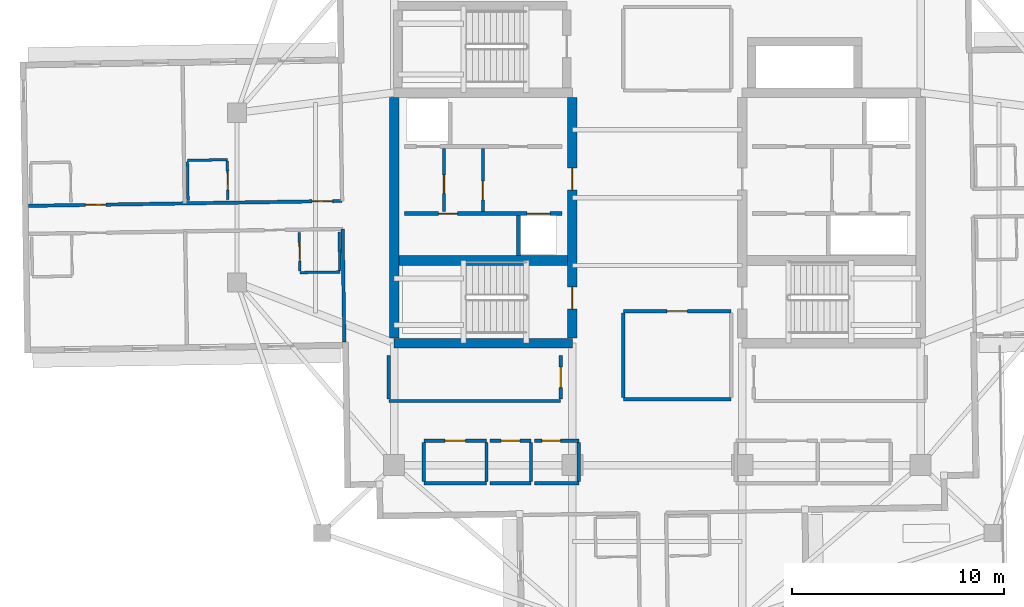
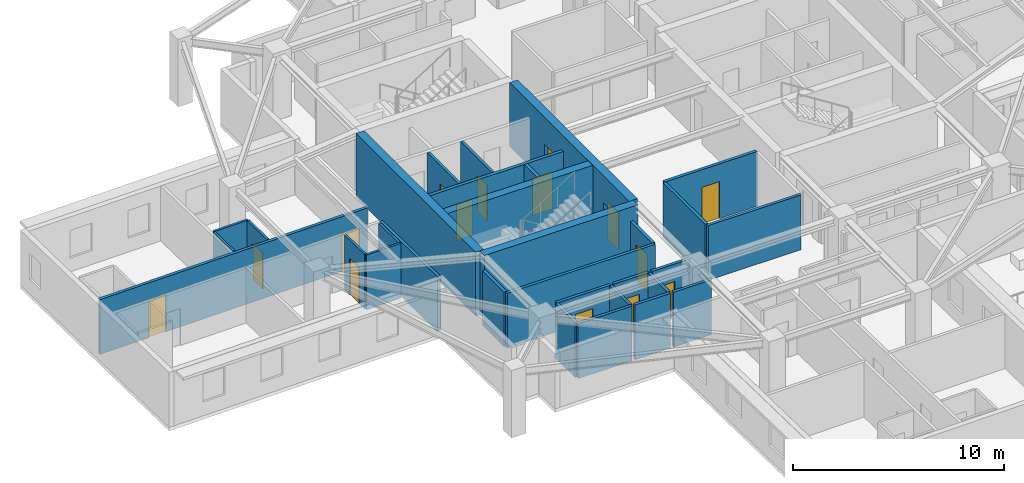
# One storey, part 4 of 13: 32 walls, 15 doors, 15 openings.
"""IFC4 building model written with IfcOpenShell, lengths in metres."""

from ifc_helpers import new_model, si_unit, direction, frame, frame_2d, origin, place, context, subcontext, project, spatial, rectangle, extrude, material, layer, layer_set, type_object, element, fill, save


model = new_model("IFC4")

# Units and contexts
model_context = context("Model", 3, precision=1e-05, world=origin(), true_north=direction((0.0, 1.0)))
body_context = subcontext(model_context, "Body", "Model", "MODEL_VIEW")
ifc_project = project(units=[si_unit("LENGTHUNIT", "METRE"), si_unit("AREAUNIT", "SQUARE_METRE"), si_unit("VOLUMEUNIT", "CUBIC_METRE"), si_unit("PLANEANGLEUNIT", "RADIAN"), si_unit("MASSUNIT", "GRAM", prefix="KILO")], contexts=[model_context])

# Site, building, storey
site_placement = place(None, origin())
site = spatial("IfcSite", under=ifc_project, at=site_placement, CompositionType="ELEMENT")
building_placement = place(site_placement, origin())
building = spatial("IfcBuilding", under=site, at=building_placement, Name="Qingluan Cross Belvedere", CompositionType="ELEMENT")
storey_placement = place(building_placement, frame((0.0, 0.0, 220.800048828125)))
storey = spatial("IfcBuildingStorey", under=building, at=storey_placement, Name="L55", CompositionType="ELEMENT", Elevation=220.800048828125)

# Walls
ifc_material_1 = material(Name="Concrete C50", Category="concrete")
ifc_layer_1 = layer(ifc_material_1, 0.449951171875, Name="CoreShearWall_450")
ifc_layer_set_1 = layer_set([ifc_layer_1], Name="Concrete C50")
wall_type_1 = type_object("IfcWallType", Name="CoreShearWall_450", PredefinedType="SHEAR", material=ifc_layer_set_1)
wall_1_placement = place(storey_placement, frame((-12.39990234375, -6.85009765625, 0.0), z_axis=(0.0, 0.0, 1.0), x_axis=(1.0, 0.0, 0.0)))
element("IfcWall", 1, at=wall_1_placement, inside=storey, type_object=wall_type_1, Name="Split core W shear wall L55-S", PredefinedType="SHEAR", context=body_context, shape_type="SweptSolid", body=[
    extrude(rectangle(XDim=8.39990234375, YDim=0.449951171875, at=frame_2d((4.199951171875, 0.0))), origin(), (0.0, 0.0, 1.0), 3.699951171875),
])
wall_2_placement = place(storey_placement, frame((-12.39990234375, -6.6201171875, 0.0), z_axis=(0.0, 0.0, 1.0), x_axis=(0.0, 1.0, 0.0)))
element("IfcWall", 2, at=wall_2_placement, inside=storey, type_object=wall_type_1, Name="Split core W shear wall L55-W", PredefinedType="SHEAR", context=body_context, shape_type="SweptSolid", body=[
    extrude(rectangle(XDim=11.340087890625, YDim=0.449951171875, at=frame_2d((5.669921875, 0.0))), origin(), (0.0, 0.0, 1.0), 3.699951171875),
])

# Wall, openings, doors
wall_3_placement = place(storey_placement, frame((-4.0, -6.6201171875, 0.0), z_axis=(0.0, 0.0, 1.0), x_axis=(0.0, 1.0, 0.0)))
wall_3 = element("IfcWall", 3, at=wall_3_placement, inside=storey, type_object=wall_type_1, Name="Split core W shear wall L55-E", PredefinedType="SHEAR", context=body_context, shape_type="SweptSolid", body=[
    extrude(rectangle(XDim=11.340087890625, YDim=0.449951171875, at=frame_2d((5.669921875, 0.0))), origin(), (0.0, 0.0, 1.0), 3.699951171875),
])
opening_1_placement = place(wall_3_placement, frame((1.3701171875, 0.0, 0.0)))
opening_1 = element("IfcOpeningElement", 4, at=opening_1_placement, cuts=wall_3, Name="Opening FD-B11", PredefinedType="OPENING", context=body_context, shape_type="SweptSolid", body=[
    extrude(rectangle(XDim=1.050048828125, YDim=2.14990234375, at=frame_2d((0.52490234375, 1.074951171875))), frame((0.0, 0.23486328125, 0.0), z_axis=(0.0, -1.0, 0.0), x_axis=(1.0, 0.0, 0.0)), (0.0, 0.0, 1.0), 0.469970703125),
])
opening_2_placement = place(wall_3_placement, frame((6.969970703125, 0.0, 0.0)))
opening_2 = element("IfcOpeningElement", 5, at=opening_2_placement, cuts=wall_3, Name="Opening FD-B11", PredefinedType="OPENING", context=body_context, shape_type="SweptSolid", body=[
    extrude(rectangle(XDim=1.050048828125, YDim=2.14990234375, at=frame_2d((0.52490234375, 1.074951171875))), frame((0.0, 0.23486328125, 0.0), z_axis=(0.0, -1.0, 0.0), x_axis=(1.0, 0.0, 0.0)), (0.0, 0.0, 1.0), 0.469970703125),
])
ifc_material_2 = material(Name="Steel Class B smoke-seal fire door", Category="steel")
door_type_1 = type_object("IfcDoorType", Name="StairLobbyFireDoor_FDB", OperationType="NOTDEFINED", PredefinedType="DOOR", material=ifc_material_2)
door_1_placement = place(opening_1_placement, origin())
door_1 = element("IfcDoor", 6, at=door_1_placement, inside=storey, type_object=door_type_1, Name="Smoke-proof stair ST1 fire door L55", OperationType="SINGLE_SWING_LEFT", OverallHeight=2.14990234375, OverallWidth=1.050048828125, PredefinedType="DOOR", context=body_context, shape_type="SweptSolid", body=[
    extrude(rectangle(XDim=1.050048828125, YDim=2.14990234375, at=frame_2d((0.52490234375, 1.074951171875))), frame((0.0, 0.02490234375, 0.0), z_axis=(0.0, -1.0, 0.0), x_axis=(1.0, 0.0, 0.0)), (0.0, 0.0, 1.0), 0.050048828125),
])
fill(opening_1, door_1)
door_2_placement = place(opening_2_placement, origin())
door_2 = element("IfcDoor", 7, at=door_2_placement, inside=storey, type_object=door_type_1, Name="Firefighting lobby West fire door L55", OperationType="SINGLE_SWING_LEFT", OverallHeight=2.14990234375, OverallWidth=1.050048828125, PredefinedType="DOOR", context=body_context, shape_type="SweptSolid", body=[
    extrude(rectangle(XDim=1.050048828125, YDim=2.14990234375, at=frame_2d((0.52490234375, 1.074951171875))), frame((0.0, 0.02490234375, 0.0), z_axis=(0.0, -1.0, 0.0), x_axis=(1.0, 0.0, 0.0)), (0.0, 0.0, 1.0), 0.050048828125),
])
fill(opening_2, door_2)

# Wall
wall_4_placement = place(storey_placement, frame((-12.169921875, -2.9599609375, 0.0), z_axis=(0.0, 0.0, 1.0), x_axis=(1.0, 0.0, 0.0)))
element("IfcWall", 8, at=wall_4_placement, inside=storey, type_object=wall_type_1, Name="Split core W shear wall L55-M", PredefinedType="SHEAR", context=body_context, shape_type="SweptSolid", body=[
    extrude(rectangle(XDim=7.93994140625, YDim=0.449951171875, at=frame_2d((3.969970703125, 0.0))), origin(), (0.0, 0.0, 1.0), 3.699951171875),
])

# Wall, opening, door
ifc_material_3 = material(Name="Gypsum plasterboard on steel stud acoustic partition", Category="steel")
ifc_layer_2 = layer(ifc_material_3, 0.159912109375, Name="CorridorPartition_160")
ifc_layer_set_2 = layer_set([ifc_layer_2], Name="Gypsum plasterboard on steel stud acoustic partition")
wall_type_2 = type_object("IfcWallType", Name="CorridorPartition_160", PredefinedType="PARTITIONING", material=ifc_layer_set_2)
wall_5_placement = place(storey_placement, frame((-10.050048828125, -0.652099609375, 0.0), z_axis=(0.0, 0.0, 1.0), x_axis=(0.0, 1.0, 0.0)))
wall_5 = element("IfcWall", 9, at=wall_5_placement, inside=storey, type_object=wall_type_2, Name="Partition L55:wv", PredefinedType="PARTITIONING", context=body_context, shape_type="SweptSolid", body=[
    extrude(rectangle(XDim=2.962158203125, YDim=0.139892578125, at=frame_2d((1.48095703125, 0.0))), origin(), (0.0, 0.0, 1.0), 3.169921875),
])
opening_3_placement = place(wall_5_placement, frame((0.85009765625, 0.0, 0.0)))
opening_3 = element("IfcOpeningElement", 10, at=opening_3_placement, cuts=wall_5, Name="Opening FD-B10", PredefinedType="OPENING", context=body_context, shape_type="SweptSolid", body=[
    extrude(rectangle(XDim=0.8798828125, YDim=2.10009765625, at=frame_2d((0.43994140625, 1.050048828125))), frame((0.0, 0.079833984375, 0.0), z_axis=(0.0, -1.0, 0.0), x_axis=(1.0, 0.0, 0.0)), (0.0, 0.0, 1.0), 0.159912109375),
])
ifc_material_4 = material(Name="Steel Class B service fire door", Category="steel")
door_type_2 = type_object("IfcDoorType", Name="RiserServiceFireDoor_FDB", OperationType="NOTDEFINED", PredefinedType="DOOR", material=ifc_material_4)
door_3_placement = place(opening_3_placement, origin())
door_3 = element("IfcDoor", 11, at=door_3_placement, inside=storey, type_object=door_type_2, Name="Service closet inner door L55", OperationType="SINGLE_SWING_RIGHT", OverallHeight=2.10009765625, OverallWidth=0.8798828125, PredefinedType="DOOR", context=body_context, shape_type="SweptSolid", body=[
    extrude(rectangle(XDim=0.8798828125, YDim=2.10009765625, at=frame_2d((0.43994140625, 1.050048828125))), frame((0.0, 0.02490234375, 0.0), z_axis=(0.0, -1.0, 0.0), x_axis=(1.0, 0.0, 0.0)), (0.0, 0.0, 1.0), 0.050048828125),
])
fill(opening_3, door_3)

# Wall
wall_6_placement = place(storey_placement, frame((-11.0, -13.449951171875, 0.0), z_axis=(0.0, 0.0, 1.0), x_axis=(1.0, 0.0, 0.0)))
element("IfcWall", 12, at=wall_6_placement, inside=storey, type_object=wall_type_2, Name="Partition L55:q_sw_occ:S", PredefinedType="PARTITIONING", context=body_context, shape_type="SweptSolid", body=[
    extrude(rectangle(XDim=2.949951171875, YDim=0.159912109375, at=frame_2d((1.47509765625, 0.0))), origin(), (0.0, 0.0, 1.0), 3.169921875),
])

# Wall, opening, door
wall_7_placement = place(storey_placement, frame((-11.0, -11.449951171875, 0.0), z_axis=(0.0, 0.0, 1.0), x_axis=(1.0, 0.0, 0.0)))
wall_7 = element("IfcWall", 13, at=wall_7_placement, inside=storey, type_object=wall_type_2, Name="Partition L55:q_sw_occ:N", PredefinedType="PARTITIONING", context=body_context, shape_type="SweptSolid", body=[
    extrude(rectangle(XDim=2.949951171875, YDim=0.159912109375, at=frame_2d((1.47509765625, 0.0))), origin(), (0.0, 0.0, 1.0), 3.169921875),
])
opening_4_placement = place(wall_7_placement, frame((0.9951171875, 0.0, 0.0)))
opening_4 = element("IfcOpeningElement", 14, at=opening_4_placement, cuts=wall_7, Name="Opening GD-10", PredefinedType="OPENING", context=body_context, shape_type="SweptSolid", body=[
    extrude(rectangle(XDim=0.9599609375, YDim=2.14990234375, at=frame_2d((0.47998046875, 1.074951171875))), frame((0.0, 0.08984375, 0.0), z_axis=(0.0, -1.0, 0.0), x_axis=(1.0, 0.0, 0.0)), (0.0, 0.0, 1.0), 0.179931640625),
])
ifc_material_5 = material(Name="Timber oak fire-rated acoustic guestroom door", Category="wood")
door_type_3 = type_object("IfcDoorType", Name="GuestEntryDoor_FD60", OperationType="NOTDEFINED", PredefinedType="DOOR", material=ifc_material_5)
door_4_placement = place(opening_4_placement, origin())
door_4 = element("IfcDoor", 15, at=door_4_placement, inside=storey, type_object=door_type_3, Name="Thermal spa suite L55 door", OperationType="SINGLE_SWING_RIGHT", OverallHeight=2.14990234375, OverallWidth=0.9599609375, PredefinedType="DOOR", context=body_context, shape_type="SweptSolid", body=[
    extrude(rectangle(XDim=0.9599609375, YDim=2.14990234375, at=frame_2d((0.47998046875, 1.074951171875))), frame((0.0, 0.02490234375, 0.0), z_axis=(0.0, -1.0, 0.0), x_axis=(1.0, 0.0, 0.0)), (0.0, 0.0, 1.0), 0.050048828125),
])
fill(opening_4, door_4)

# Walls
for number, where, z_axis, x_axis, name in (
    (16, (-11.0, -13.364990234375, 0.0), (0.0, 0.0, 1.0), (0.0, 1.0, 0.0), "Partition L55:q_sw_occ:W"),
    (17, (-8.050048828125, -13.364990234375, 0.0), (0.0, 0.0, 1.0), (0.0, 1.0, 0.0), "Partition L55:q_sw_occ:E"),
):
    element("IfcWall", number, at=place(storey_placement, frame(where, z_axis=z_axis, x_axis=x_axis)), inside=storey, type_object=wall_type_2, Name=name, PredefinedType="PARTITIONING", context=body_context, shape_type="SweptSolid", body=[
        extrude(rectangle(XDim=1.830078125, YDim=0.159912109375, at=frame_2d((0.9150390625, 0.0))), origin(), (0.0, 0.0, 1.0), 3.169921875),
    ])
wall_8_placement = place(storey_placement, frame((-7.889892578125, -13.449951171875, 0.0), z_axis=(0.0, 0.0, 1.0), x_axis=(1.0, 0.0, 0.0)))
element("IfcWall", 18, at=wall_8_placement, inside=storey, type_object=wall_type_2, Name="Partition L55:hk_linen:S", PredefinedType="PARTITIONING", context=body_context, shape_type="SweptSolid", body=[
    extrude(rectangle(XDim=1.93994140625, YDim=0.159912109375, at=frame_2d((0.969970703125, 0.0))), origin(), (0.0, 0.0, 1.0), 3.169921875),
])

# Wall, opening, door
wall_9_placement = place(storey_placement, frame((-7.889892578125, -11.449951171875, 0.0), z_axis=(0.0, 0.0, 1.0), x_axis=(1.0, 0.0, 0.0)))
wall_9 = element("IfcWall", 19, at=wall_9_placement, inside=storey, type_object=wall_type_2, Name="Partition L55:hk_linen:N", PredefinedType="PARTITIONING", context=body_context, shape_type="SweptSolid", body=[
    extrude(rectangle(XDim=1.93994140625, YDim=0.159912109375, at=frame_2d((0.969970703125, 0.0))), origin(), (0.0, 0.0, 1.0), 3.169921875),
])
opening_5_placement = place(wall_9_placement, frame((0.530029296875, 0.0, 0.0)))
opening_5 = element("IfcOpeningElement", 20, at=opening_5_placement, cuts=wall_9, Name="Opening FD-B10", PredefinedType="OPENING", context=body_context, shape_type="SweptSolid", body=[
    extrude(rectangle(XDim=0.8798828125, YDim=2.10009765625, at=frame_2d((0.43994140625, 1.050048828125))), frame((0.0, 0.08984375, 0.0), z_axis=(0.0, -1.0, 0.0), x_axis=(1.0, 0.0, 0.0)), (0.0, 0.0, 1.0), 0.179931640625),
])
door_5_placement = place(opening_5_placement, origin())
door_5 = element("IfcDoor", 21, at=door_5_placement, inside=storey, type_object=door_type_2, Name="Housekeeping and linen store L55 door", OperationType="SINGLE_SWING_LEFT", OverallHeight=2.10009765625, OverallWidth=0.8798828125, PredefinedType="DOOR", context=body_context, shape_type="SweptSolid", body=[
    extrude(rectangle(XDim=0.8798828125, YDim=2.10009765625, at=frame_2d((0.43994140625, 1.050048828125))), frame((0.0, 0.02490234375, 0.0), z_axis=(0.0, -1.0, 0.0), x_axis=(1.0, 0.0, 0.0)), (0.0, 0.0, 1.0), 0.050048828125),
])
fill(opening_5, door_5)

# Walls
wall_10_placement = place(storey_placement, frame((-5.949951171875, -13.364990234375, 0.0), z_axis=(0.0, 0.0, 1.0), x_axis=(0.0, 1.0, 0.0)))
element("IfcWall", 22, at=wall_10_placement, inside=storey, type_object=wall_type_2, Name="Partition L55:hk_linen:E", PredefinedType="PARTITIONING", context=body_context, shape_type="SweptSolid", body=[
    extrude(rectangle(XDim=1.830078125, YDim=0.159912109375, at=frame_2d((0.9150390625, 0.0))), origin(), (0.0, 0.0, 1.0), 3.169921875),
])
wall_11_placement = place(storey_placement, frame((-5.7900390625, -13.449951171875, 0.0), z_axis=(0.0, 0.0, 1.0), x_axis=(1.0, 0.0, 0.0)))
element("IfcWall", 23, at=wall_11_placement, inside=storey, type_object=wall_type_2, Name="Partition L55:floor_acc_wc:S", PredefinedType="PARTITIONING", context=body_context, shape_type="SweptSolid", body=[
    extrude(rectangle(XDim=2.090087890625, YDim=0.159912109375, at=frame_2d((1.044921875, 0.0))), origin(), (0.0, 0.0, 1.0), 3.169921875),
])

# Wall, opening, door
wall_12_placement = place(storey_placement, frame((-5.7900390625, -11.449951171875, 0.0), z_axis=(0.0, 0.0, 1.0), x_axis=(1.0, 0.0, 0.0)))
wall_12 = element("IfcWall", 24, at=wall_12_placement, inside=storey, type_object=wall_type_2, Name="Partition L55:floor_acc_wc:N", PredefinedType="PARTITIONING", context=body_context, shape_type="SweptSolid", body=[
    extrude(rectangle(XDim=2.090087890625, YDim=0.159912109375, at=frame_2d((1.044921875, 0.0))), origin(), (0.0, 0.0, 1.0), 3.169921875),
])
opening_6_placement = place(wall_12_placement, frame((0.35009765625, 0.0, 0.0)))
opening_6 = element("IfcOpeningElement", 25, at=opening_6_placement, cuts=wall_12, Name="Opening BD-08", PredefinedType="OPENING", context=body_context, shape_type="SweptSolid", body=[
    extrude(rectangle(XDim=0.8798828125, YDim=2.14990234375, at=frame_2d((0.43994140625, 1.074951171875))), frame((0.0, 0.08984375, 0.0), z_axis=(0.0, -1.0, 0.0), x_axis=(1.0, 0.0, 0.0)), (0.0, 0.0, 1.0), 0.179931640625),
])
ifc_material_6 = material(Name="Moisture-sealed timber accessible WC door", Category="wood")
door_type_4 = type_object("IfcDoorType", Name="AccessibleWCDoor_880", OperationType="NOTDEFINED", PredefinedType="DOOR", material=ifc_material_6)
door_6_placement = place(opening_6_placement, origin())
door_6 = element("IfcDoor", 26, at=door_6_placement, inside=storey, type_object=door_type_4, Name="Accessible guest washroom L55 door", OperationType="SINGLE_SWING_RIGHT", OverallHeight=2.14990234375, OverallWidth=0.8798828125, PredefinedType="DOOR", context=body_context, shape_type="SweptSolid", body=[
    extrude(rectangle(XDim=0.8798828125, YDim=2.14990234375, at=frame_2d((0.43994140625, 1.074951171875))), frame((0.0, 0.02490234375, 0.0), z_axis=(0.0, -1.0, 0.0), x_axis=(1.0, 0.0, 0.0)), (0.0, 0.0, 1.0), 0.050048828125),
])
fill(opening_6, door_6)

# Walls
wall_13_placement = place(storey_placement, frame((-3.699951171875, -13.364990234375, 0.0), z_axis=(0.0, 0.0, 1.0), x_axis=(0.0, 1.0, 0.0)))
element("IfcWall", 27, at=wall_13_placement, inside=storey, type_object=wall_type_2, Name="Partition L55:floor_acc_wc:E", PredefinedType="PARTITIONING", context=body_context, shape_type="SweptSolid", body=[
    extrude(rectangle(XDim=1.830078125, YDim=0.159912109375, at=frame_2d((0.9150390625, 0.0))), origin(), (0.0, 0.0, 1.0), 3.169921875),
])
wall_14_placement = place(storey_placement, frame((-1.60009765625, -9.5, 0.0), z_axis=(0.0, 0.0, 1.0), x_axis=(1.0, 0.0, 0.0)))
element("IfcWall", 28, at=wall_14_placement, inside=storey, type_object=wall_type_2, Name="Partition L55:sky_south_alcove:S", PredefinedType="PARTITIONING", context=body_context, shape_type="SweptSolid", body=[
    extrude(rectangle(XDim=5.080078125, YDim=0.159912109375, at=frame_2d((2.5400390625, 0.0))), origin(), (0.0, 0.0, 1.0), 3.169921875),
])

# Wall, opening, door
wall_15_placement = place(storey_placement, frame((-1.60009765625, -5.35009765625, 0.0), z_axis=(0.0, 0.0, 1.0), x_axis=(1.0, 0.0, 0.0)))
wall_15 = element("IfcWall", 29, at=wall_15_placement, inside=storey, type_object=wall_type_2, Name="Partition L55:sky_south_alcove:N", PredefinedType="PARTITIONING", context=body_context, shape_type="SweptSolid", body=[
    extrude(rectangle(XDim=5.080078125, YDim=0.159912109375, at=frame_2d((2.5400390625, 0.0))), origin(), (0.0, 0.0, 1.0), 3.169921875),
])
opening_7_placement = place(wall_15_placement, frame((2.06005859375, 0.0, 0.0)))
opening_7 = element("IfcOpeningElement", 30, at=opening_7_placement, cuts=wall_15, Name="Opening GD-10", PredefinedType="OPENING", context=body_context, shape_type="SweptSolid", body=[
    extrude(rectangle(XDim=0.9599609375, YDim=2.14990234375, at=frame_2d((0.47998046875, 1.074951171875))), frame((0.0, 0.08984375, 0.0), z_axis=(0.0, -1.0, 0.0), x_axis=(1.0, 0.0, 0.0)), (0.0, 0.0, 1.0), 0.179931640625),
])
door_7_placement = place(opening_7_placement, origin())
door_7 = element("IfcDoor", 31, at=door_7_placement, inside=storey, type_object=door_type_3, Name="South horizon reading alcove L55 door", OperationType="SINGLE_SWING_RIGHT", OverallHeight=2.14990234375, OverallWidth=0.9599609375, PredefinedType="DOOR", context=body_context, shape_type="SweptSolid", body=[
    extrude(rectangle(XDim=0.9599609375, YDim=2.14990234375, at=frame_2d((0.47998046875, 1.074951171875))), frame((0.0, 0.02490234375, 0.0), z_axis=(0.0, -1.0, 0.0), x_axis=(1.0, 0.0, 0.0)), (0.0, 0.0, 1.0), 0.050048828125),
])
fill(opening_7, door_7)

# Walls
wall_16_placement = place(storey_placement, frame((-1.60009765625, -9.4150390625, 0.0), z_axis=(0.0, 0.0, 1.0), x_axis=(0.0, 1.0, 0.0)))
element("IfcWall", 32, at=wall_16_placement, inside=storey, type_object=wall_type_2, Name="Partition L55:sky_south_alcove:W", PredefinedType="PARTITIONING", context=body_context, shape_type="SweptSolid", body=[
    extrude(rectangle(XDim=3.97998046875, YDim=0.159912109375, at=frame_2d((1.989990234375, 0.0))), origin(), (0.0, 0.0, 1.0), 3.169921875),
])
wall_17_placement = place(storey_placement, frame((-12.64990234375, -9.580078125, 0.0), z_axis=(0.0, 0.0, 1.0), x_axis=(1.0, 0.0, 0.0)))
element("IfcWall", 33, at=wall_17_placement, inside=storey, type_object=wall_type_2, Name="Partition L55:rec_st4_w:S", PredefinedType="PARTITIONING", context=body_context, shape_type="SweptSolid", body=[
    extrude(rectangle(XDim=8.099853515625, YDim=0.159912109375, at=frame_2d((4.0498046875, 0.0))), origin(), (0.0, 0.0, 1.0), 3.169921875),
])
wall_18_placement = place(storey_placement, frame((-12.64990234375, -9.4951171875, 0.0), z_axis=(0.0, 0.0, 1.0), x_axis=(0.0, 1.0, 0.0)))
element("IfcWall", 34, at=wall_18_placement, inside=storey, type_object=wall_type_2, Name="Partition L55:rec_st4_w:W", PredefinedType="PARTITIONING", context=body_context, shape_type="SweptSolid", body=[
    extrude(rectangle(XDim=2.06005859375, YDim=0.159912109375, at=frame_2d((1.030029296875, 0.0))), origin(), (0.0, 0.0, 1.0), 3.169921875),
])

# Wall, opening, door
wall_19_placement = place(storey_placement, frame((-4.550048828125, -9.4951171875, 0.0), z_axis=(0.0, 0.0, 1.0), x_axis=(0.0, 1.0, 0.0)))
wall_19 = element("IfcWall", 35, at=wall_19_placement, inside=storey, type_object=wall_type_2, Name="Partition L55:rec_st4_w:E", PredefinedType="PARTITIONING", context=body_context, shape_type="SweptSolid", body=[
    extrude(rectangle(XDim=2.06005859375, YDim=0.159912109375, at=frame_2d((1.030029296875, 0.0))), origin(), (0.0, 0.0, 1.0), 3.169921875),
])
opening_8_placement = place(wall_19_placement, frame((0.550048828125, 0.0, 0.0)))
opening_8 = element("IfcOpeningElement", 36, at=opening_8_placement, cuts=wall_19, Name="Opening GD-10", PredefinedType="OPENING", context=body_context, shape_type="SweptSolid", body=[
    extrude(rectangle(XDim=0.9599609375, YDim=2.14990234375, at=frame_2d((0.47998046875, 1.074951171875))), frame((0.0, 0.08984375, 0.0), z_axis=(0.0, -1.0, 0.0), x_axis=(1.0, 0.0, 0.0)), (0.0, 0.0, 1.0), 0.179931640625),
])
door_8_placement = place(opening_8_placement, origin())
door_8 = element("IfcDoor", 37, at=door_8_placement, inside=storey, type_object=door_type_3, Name="Southwest club reading room L55 door", OperationType="SINGLE_SWING_RIGHT", OverallHeight=2.14990234375, OverallWidth=0.9599609375, PredefinedType="DOOR", context=body_context, shape_type="SweptSolid", body=[
    extrude(rectangle(XDim=0.9599609375, YDim=2.14990234375, at=frame_2d((0.47998046875, 1.074951171875))), frame((0.0, 0.02490234375, 0.0), z_axis=(0.0, -1.0, 0.0), x_axis=(1.0, 0.0, 0.0)), (0.0, 0.0, 1.0), 0.050048828125),
])
fill(opening_8, door_8)

# Wall, openings, doors
wall_20_placement = place(storey_placement, frame((-14.849365234375, -0.1533203125, 0.0), z_axis=(0.0, 0.0, 1.0), x_axis=(-0.999876642421, -0.015706684621, 0.0)))
wall_20 = element("IfcWall", 38, at=wall_20_placement, inside=storey, type_object=wall_type_2, Name="Partition L55:W:c0", PredefinedType="PARTITIONING", context=body_context, shape_type="SweptSolid", body=[
    extrude(rectangle(XDim=14.781982421875, YDim=0.159912109375, at=frame_2d((7.39111328125, 0.0))), origin(), (0.0, 0.0, 1.0), 3.169921875),
])
opening_9_placement = place(wall_20_placement, frame((0.449951171875, 0.0, 0.0)))
opening_9 = element("IfcOpeningElement", 39, at=opening_9_placement, cuts=wall_20, Name="Opening GD-10", PredefinedType="OPENING", context=body_context, shape_type="SweptSolid", body=[
    extrude(rectangle(XDim=0.9599609375, YDim=2.14990234375, at=frame_2d((0.47998046875, 1.074951171875))), frame((0.0, 0.08984375, 0.0), z_axis=(0.0, -1.0, 0.0), x_axis=(1.0, 0.0, 0.0)), (0.0, 0.0, 1.0), 0.179931640625),
])
opening_10_placement = place(wall_20_placement, frame((11.131103515625, 0.0, 0.0)))
opening_10 = element("IfcOpeningElement", 40, at=opening_10_placement, cuts=wall_20, Name="Opening GD-10", PredefinedType="OPENING", context=body_context, shape_type="SweptSolid", body=[
    extrude(rectangle(XDim=0.9599609375, YDim=2.14990234375, at=frame_2d((0.47998046875, 1.074951171875))), frame((0.0, 0.08984375, 0.0), z_axis=(0.0, -1.0, 0.0), x_axis=(1.0, 0.0, 0.0)), (0.0, 0.0, 1.0), 0.179931640625),
])
door_9_placement = place(opening_9_placement, origin())
door_9 = element("IfcDoor", 41, at=door_9_placement, inside=storey, type_object=door_type_3, Name="Guest entry fire door 5505", OperationType="SINGLE_SWING_LEFT", OverallHeight=2.14990234375, OverallWidth=0.9599609375, PredefinedType="DOOR", context=body_context, shape_type="SweptSolid", body=[
    extrude(rectangle(XDim=0.9599609375, YDim=2.14990234375, at=frame_2d((0.47998046875, 1.074951171875))), frame((0.0, 0.02490234375, 0.0), z_axis=(0.0, -1.0, 0.0), x_axis=(1.0, 0.0, 0.0)), (0.0, 0.0, 1.0), 0.050048828125),
])
fill(opening_9, door_9)
door_10_placement = place(opening_10_placement, origin())
door_10 = element("IfcDoor", 42, at=door_10_placement, inside=storey, type_object=door_type_3, Name="Guest entry fire door 5506", OperationType="SINGLE_SWING_LEFT", OverallHeight=2.14990234375, OverallWidth=0.9599609375, PredefinedType="DOOR", context=body_context, shape_type="SweptSolid", body=[
    extrude(rectangle(XDim=0.9599609375, YDim=2.14990234375, at=frame_2d((0.47998046875, 1.074951171875))), frame((0.0, 0.02490234375, 0.0), z_axis=(0.0, -1.0, 0.0), x_axis=(1.0, 0.0, 0.0)), (0.0, 0.0, 1.0), 0.050048828125),
])
fill(opening_10, door_10)

# Wall
wall_21_placement = place(storey_placement, frame((-14.82861328125, -1.47314453125, 0.0), z_axis=(0.0, 0.0, 1.0), x_axis=(0.015705348516, -0.999876663408, 0.0)))
element("IfcWall", 43, at=wall_21_placement, inside=storey, type_object=wall_type_2, Name="Partition L55:W:s1", PredefinedType="PARTITIONING", context=body_context, shape_type="SweptSolid", body=[
    extrude(rectangle(XDim=5.33203125, YDim=0.159912109375, at=frame_2d((2.666015625, 0.0))), origin(), (0.0, 0.0, 1.0), 3.169921875),
])

# Wall, opening, door
ifc_material_7 = material(Name="Moisture-resistant gypsum board lining")
ifc_layer_3 = layer(ifc_material_7, 0.1201171875, Name="EnsuiteWetPartition_120")
ifc_layer_set_3 = layer_set([ifc_layer_3], Name="Moisture-resistant gypsum board lining")
wall_type_3 = type_object("IfcWallType", Name="EnsuiteWetPartition_120", PredefinedType="PARTITIONING", material=ifc_layer_set_3)
wall_22_placement = place(storey_placement, frame((-20.22802734375, -0.09765625, 0.0), z_axis=(0.0, 0.0, 1.0), x_axis=(-0.015696442504, 0.999876803258, 0.0)))
wall_22 = element("IfcWall", 44, at=wall_22_placement, inside=storey, type_object=wall_type_3, Name="Partition L55:W:bs0_0", PredefinedType="PARTITIONING", context=body_context, shape_type="SweptSolid", body=[
    extrude(rectangle(XDim=1.81982421875, YDim=0.1201171875, at=frame_2d((0.909912109375, 0.0))), origin(), (0.0, 0.0, 1.0), 3.169921875),
])
opening_11_placement = place(wall_22_placement, frame((0.469970703125, 0.0, 0.0)))
opening_11 = element("IfcOpeningElement", 45, at=opening_11_placement, cuts=wall_22, Name="Opening BD-09", PredefinedType="OPENING", context=body_context, shape_type="SweptSolid", body=[
    extrude(rectangle(XDim=0.8798828125, YDim=2.10009765625, at=frame_2d((0.43994140625, 1.050048828125))), frame((0.0, 0.070068359375, 0.0), z_axis=(0.0, -1.0, 0.0), x_axis=(1.0, 0.0, 0.0)), (0.0, 0.0, 1.0), 0.14013671875),
])
ifc_material_8 = material(Name="Moisture-sealed timber en-suite door", Category="wood")
door_type_5 = type_object("IfcDoorType", Name="BathroomDoor_880", OperationType="NOTDEFINED", PredefinedType="DOOR", material=ifc_material_8)
door_11_placement = place(opening_11_placement, origin())
door_11 = element("IfcDoor", 46, at=door_11_placement, inside=storey, type_object=door_type_5, Name="Bathroom door 5505", OperationType="SINGLE_SWING_RIGHT", OverallHeight=2.10009765625, OverallWidth=0.8798828125, PredefinedType="DOOR", context=body_context, shape_type="SweptSolid", body=[
    extrude(rectangle(XDim=0.8798828125, YDim=2.10009765625, at=frame_2d((0.43994140625, 1.050048828125))), frame((0.0, 0.02490234375, 0.0), z_axis=(0.0, -1.0, 0.0), x_axis=(1.0, 0.0, 0.0)), (0.0, 0.0, 1.0), 0.050048828125),
])
fill(opening_11, door_11)

# Walls
wall_23_placement = place(storey_placement, frame((-22.107666015625, -0.127197265625, 0.0), z_axis=(0.0, 0.0, 1.0), x_axis=(-0.015696442504, 0.999876803258, 0.0)))
element("IfcWall", 47, at=wall_23_placement, inside=storey, type_object=wall_type_3, Name="Partition L55:W:bw0_0", PredefinedType="PARTITIONING", context=body_context, shape_type="SweptSolid", body=[
    extrude(rectangle(XDim=1.81982421875, YDim=0.1201171875, at=frame_2d((0.909912109375, 0.0))), origin(), (0.0, 0.0, 1.0), 3.169921875),
])
wall_24_placement = place(storey_placement, frame((-20.257568359375, 1.787109375, 0.0), z_axis=(0.0, 0.0, 1.0), x_axis=(-0.99987652141, -0.015714386166, 0.0)))
element("IfcWall", 48, at=wall_24_placement, inside=storey, type_object=wall_type_3, Name="Partition L55:W:bn0_0", PredefinedType="PARTITIONING", context=body_context, shape_type="SweptSolid", body=[
    extrude(rectangle(XDim=1.8798828125, YDim=0.1201171875, at=frame_2d((0.93994140625, 0.0))), origin(), (0.0, 0.0, 1.0), 3.169921875),
])

# Wall, opening, door
wall_25_placement = place(storey_placement, frame((-16.837646484375, -3.46484375, 0.0), z_axis=(0.0, 0.0, 1.0), x_axis=(-0.015694337248, 0.999876836305, 0.0)))
wall_25 = element("IfcWall", 49, at=wall_25_placement, inside=storey, type_object=wall_type_3, Name="Partition L55:W:bs1_0", PredefinedType="PARTITIONING", context=body_context, shape_type="SweptSolid", body=[
    extrude(rectangle(XDim=1.820068359375, YDim=0.1201171875, at=frame_2d((0.91015625, 0.0))), origin(), (0.0, 0.0, 1.0), 3.169921875),
])
opening_12_placement = place(wall_25_placement, frame((0.469970703125, 0.0, 0.0)))
opening_12 = element("IfcOpeningElement", 50, at=opening_12_placement, cuts=wall_25, Name="Opening BD-09", PredefinedType="OPENING", context=body_context, shape_type="SweptSolid", body=[
    extrude(rectangle(XDim=0.8798828125, YDim=2.10009765625, at=frame_2d((0.43994140625, 1.050048828125))), frame((0.0, 0.070068359375, 0.0), z_axis=(0.0, -1.0, 0.0), x_axis=(1.0, 0.0, 0.0)), (0.0, 0.0, 1.0), 0.14013671875),
])
door_12_placement = place(opening_12_placement, origin())
door_12 = element("IfcDoor", 51, at=door_12_placement, inside=storey, type_object=door_type_5, Name="Bathroom door 5507", OperationType="SINGLE_SWING_RIGHT", OverallHeight=2.10009765625, OverallWidth=0.8798828125, PredefinedType="DOOR", context=body_context, shape_type="SweptSolid", body=[
    extrude(rectangle(XDim=0.8798828125, YDim=2.10009765625, at=frame_2d((0.43994140625, 1.050048828125))), frame((0.0, 0.02490234375, 0.0), z_axis=(0.0, -1.0, 0.0), x_axis=(1.0, 0.0, 0.0)), (0.0, 0.0, 1.0), 0.050048828125),
])
fill(opening_12, door_12)

# Walls
wall_26_placement = place(storey_placement, frame((-14.9580078125, -3.435302734375, 0.0), z_axis=(0.0, 0.0, 1.0), x_axis=(-0.015694337248, 0.999876836305, 0.0)))
element("IfcWall", 52, at=wall_26_placement, inside=storey, type_object=wall_type_3, Name="Partition L55:W:bw1_0", PredefinedType="PARTITIONING", context=body_context, shape_type="SweptSolid", body=[
    extrude(rectangle(XDim=1.820068359375, YDim=0.1201171875, at=frame_2d((0.91015625, 0.0))), origin(), (0.0, 0.0, 1.0), 3.169921875),
])
wall_27_placement = place(storey_placement, frame((-14.956787109375, -3.50048828125, 0.0), z_axis=(0.0, 0.0, 1.0), x_axis=(-0.999878585111, -0.015582523404, 0.0)))
element("IfcWall", 53, at=wall_27_placement, inside=storey, type_object=wall_type_3, Name="Partition L55:W:bc1_0", PredefinedType="PARTITIONING", context=body_context, shape_type="SweptSolid", body=[
    extrude(rectangle(XDim=1.880126953125, YDim=0.1201171875, at=frame_2d((0.93994140625, 0.0))), origin(), (0.0, 0.0, 1.0), 3.169921875),
])

# Wall, openings, doors
ifc_material_9 = material(Name="Concrete C40", Category="concrete")
ifc_layer_4 = layer(ifc_material_9, 0.219970703125, Name="ShaftEnclosureWall_250")
ifc_layer_set_4 = layer_set([ifc_layer_4], Name="Concrete C40")
wall_type_4 = type_object("IfcWallType", Name="ShaftEnclosureWall_250", PredefinedType="SOLIDWALL", material=ifc_layer_set_4)
wall_28_placement = place(storey_placement, frame((-11.89990234375, -0.75, 0.0), z_axis=(0.0, 0.0, 1.0), x_axis=(1.0, 0.0, 0.0)))
wall_28 = element("IfcWall", 54, at=wall_28_placement, inside=storey, type_object=wall_type_4, Name="Core-W mid hoistway wall L55", PredefinedType="SOLIDWALL", context=body_context, shape_type="SweptSolid", body=[
    extrude(rectangle(XDim=7.419921875, YDim=0.179931640625, at=frame_2d((3.7099609375, 0.0))), origin(), (0.0, 0.0, 1.0), 3.169921875),
])
opening_13_placement = place(wall_28_placement, frame((5.75, 0.0, 0.0)))
opening_13 = element("IfcOpeningElement", 55, at=opening_13_placement, cuts=wall_28, Name="Opening LD-11", PredefinedType="OPENING", context=body_context, shape_type="SweptSolid", body=[
    extrude(rectangle(XDim=1.10009765625, YDim=2.14990234375, at=frame_2d((0.550048828125, 1.074951171875))), frame((0.0, 0.099853515625, 0.0), z_axis=(0.0, -1.0, 0.0), x_axis=(1.0, 0.0, 0.0)), (0.0, 0.0, 1.0), 0.199951171875),
])
opening_14_placement = place(wall_28_placement, frame((1.60009765625, 0.0, 0.0)))
opening_14 = element("IfcOpeningElement", 56, at=opening_14_placement, cuts=wall_28, Name="Opening FD-B10", PredefinedType="OPENING", context=body_context, shape_type="SweptSolid", body=[
    extrude(rectangle(XDim=0.8798828125, YDim=2.10009765625, at=frame_2d((0.43994140625, 1.050048828125))), frame((0.0, 0.099853515625, 0.0), z_axis=(0.0, -1.0, 0.0), x_axis=(1.0, 0.0, 0.0)), (0.0, 0.0, 1.0), 0.199951171875),
])
ifc_material_10 = material(Name="Brushed stainless steel centre-opening lift landing door", Category="steel")
door_type_6 = type_object("IfcDoorType", Name="LiftLandingSlidingDoor_1100", OperationType="DOUBLE_DOOR_SLIDING", PredefinedType="DOOR", material=ifc_material_10)
door_13_placement = place(opening_13_placement, origin())
door_13 = element("IfcDoor", 57, at=door_13_placement, inside=storey, type_object=door_type_6, Name="Lift landing sliding door LP8 L55", OperationType="DOUBLE_DOOR_SLIDING", OverallHeight=2.14990234375, OverallWidth=1.10009765625, PredefinedType="DOOR", context=body_context, shape_type="SweptSolid", body=[
    extrude(rectangle(XDim=1.10009765625, YDim=2.14990234375, at=frame_2d((0.550048828125, 1.074951171875))), frame((0.0, 0.02490234375, 0.0), z_axis=(0.0, -1.0, 0.0), x_axis=(1.0, 0.0, 0.0)), (0.0, 0.0, 1.0), 0.050048828125),
])
fill(opening_13, door_13)
door_14_placement = place(opening_14_placement, origin())
door_14 = element("IfcDoor", 58, at=door_14_placement, inside=storey, type_object=door_type_2, Name="Upper-zone electrical room door L55", OperationType="SINGLE_SWING_RIGHT", OverallHeight=2.10009765625, OverallWidth=0.8798828125, PredefinedType="DOOR", context=body_context, shape_type="SweptSolid", body=[
    extrude(rectangle(XDim=0.8798828125, YDim=2.10009765625, at=frame_2d((0.43994140625, 1.050048828125))), frame((0.0, 0.02490234375, 0.0), z_axis=(0.0, -1.0, 0.0), x_axis=(1.0, 0.0, 0.0)), (0.0, 0.0, 1.0), 0.050048828125),
])
fill(opening_14, door_14)

# Wall
wall_29_placement = place(storey_placement, frame((-6.5400390625, -2.72998046875, 0.0), z_axis=(0.0, 0.0, 1.0), x_axis=(0.0, 1.0, 0.0)))
element("IfcWall", 59, at=wall_29_placement, inside=storey, type_object=wall_type_4, Name="Hoistway enclosure divider LP8W L55", PredefinedType="SOLIDWALL", context=body_context, shape_type="SweptSolid", body=[
    extrude(rectangle(XDim=1.889892578125, YDim=0.179931640625, at=frame_2d((0.94482421875, 0.0))), origin(), (0.0, 0.0, 1.0), 3.169921875),
])

# Wall, opening, door
wall_30_placement = place(storey_placement, frame((-8.219970703125, -0.64990234375, 0.0), z_axis=(0.0, 0.0, 1.0), x_axis=(0.0, 1.0, 0.0)))
wall_30 = element("IfcWall", 60, at=wall_30_placement, inside=storey, type_object=wall_type_4, Name="Core-W service corridor wall L55", PredefinedType="SOLIDWALL", context=body_context, shape_type="SweptSolid", body=[
    extrude(rectangle(XDim=2.9599609375, YDim=0.139892578125, at=frame_2d((1.47998046875, 0.0))), origin(), (0.0, 0.0, 1.0), 3.169921875),
])
opening_15_placement = place(wall_30_placement, frame((0.550048828125, 0.0, 0.0)))
opening_15 = element("IfcOpeningElement", 61, at=opening_15_placement, cuts=wall_30, Name="Opening FD-B10", PredefinedType="OPENING", context=body_context, shape_type="SweptSolid", body=[
    extrude(rectangle(XDim=0.8798828125, YDim=2.10009765625, at=frame_2d((0.43994140625, 1.050048828125))), frame((0.0, 0.079833984375, 0.0), z_axis=(0.0, -1.0, 0.0), x_axis=(1.0, 0.0, 0.0)), (0.0, 0.0, 1.0), 0.159912109375),
])
door_15_placement = place(opening_15_placement, origin())
door_15 = element("IfcDoor", 62, at=door_15_placement, inside=storey, type_object=door_type_2, Name="Core-W service room door L55", OperationType="SINGLE_SWING_RIGHT", OverallHeight=2.10009765625, OverallWidth=0.8798828125, PredefinedType="DOOR", context=body_context, shape_type="SweptSolid", body=[
    extrude(rectangle(XDim=0.8798828125, YDim=2.10009765625, at=frame_2d((0.43994140625, 1.050048828125))), frame((0.0, 0.02490234375, 0.0), z_axis=(0.0, -1.0, 0.0), x_axis=(1.0, 0.0, 0.0)), (0.0, 0.0, 1.0), 0.050048828125),
])
fill(opening_15, door_15)

save(model, "model.ifc")
